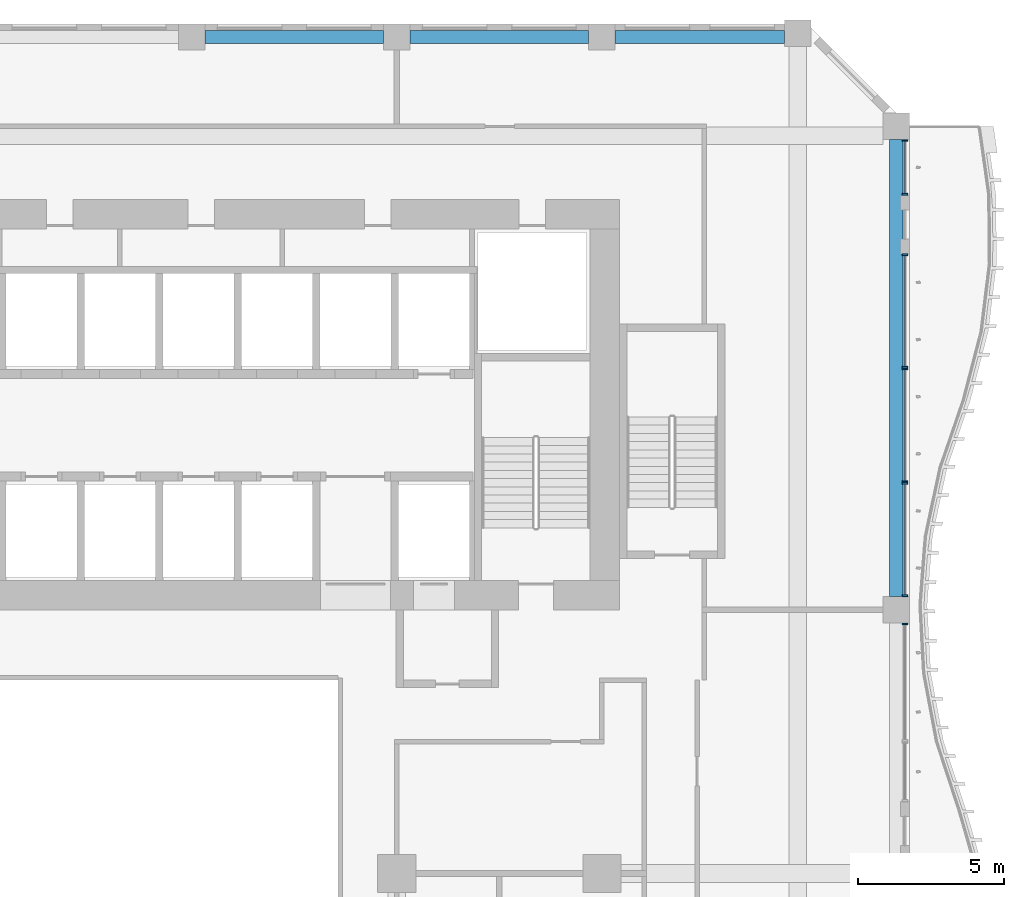
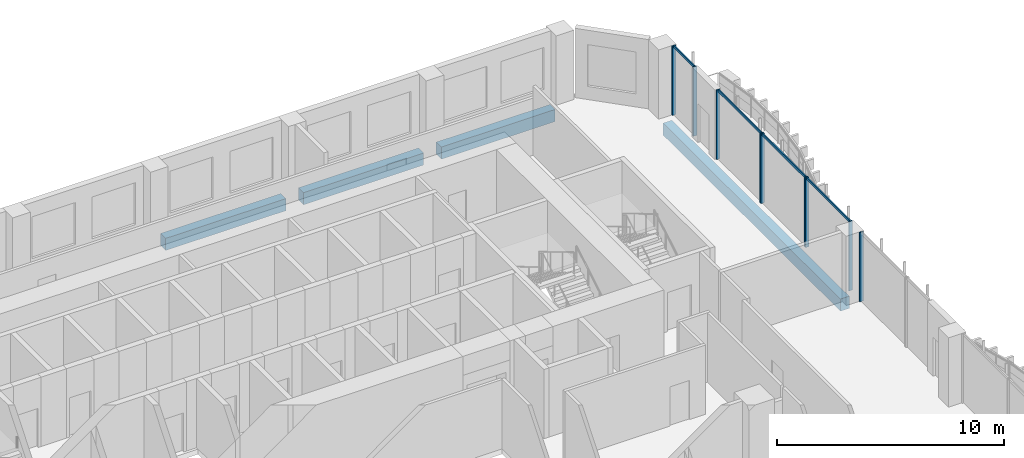
# One storey, part 10 of 26: 13 members, 4 beams, 5 elements without a shape of their own.
"""IFC4 building model written with IfcOpenShell, lengths in metres."""

from ifc_helpers import new_model, si_unit, direction, frame, origin, origin_2d, place, context, subcontext, project, spatial, rectangle, extrude, source, transform, mapped, material, material_profile, profile_set, type_object, element, aggregate, save


model = new_model("IFC4")

# Units and contexts
model_context = context("Model", 3, precision=1e-05, world=origin(), true_north=direction((0.0, 1.0)))
body_context = subcontext(model_context, "Body", "Model", "MODEL_VIEW")
ifc_project = project(units=[si_unit("LENGTHUNIT", "METRE"), si_unit("AREAUNIT", "SQUARE_METRE"), si_unit("VOLUMEUNIT", "CUBIC_METRE"), si_unit("PLANEANGLEUNIT", "RADIAN"), si_unit("MASSUNIT", "GRAM", prefix="KILO")], contexts=[model_context])

# Site, building, storey
site_placement = place(None, origin())
site = spatial("IfcSite", under=ifc_project, at=site_placement, CompositionType="ELEMENT")
building_placement = place(site_placement, origin())
building = spatial("IfcBuilding", under=site, at=building_placement, Name="Kilnfold Tower and Market Hall", CompositionType="ELEMENT")
storey_placement = place(building_placement, frame((0.0, 0.0, 31.0)))
storey = spatial("IfcBuildingStorey", under=building, at=storey_placement, Name="L06", CompositionType="ELEMENT", Elevation=31.0)

# Beams
ifc_material_1 = material(Name="Concrete C45", Category="concrete")
ifc_material_profile_1 = material_profile(ifc_material_1, rectangle(XDim=0.449951171875, YDim=0.64990234375, at=origin_2d()), Name="RC 450x650")
ifc_profile_set_1 = profile_set([ifc_material_profile_1], Name="Concrete C45")
beam_type = type_object("IfcBeamType", Name="EDGE BEAM 450X650 C45", PredefinedType="BEAM", material=ifc_profile_set_1)
shared_shape_1 = source(origin(), body_context, "Body", "SweptSolid", [
    extrude(rectangle(XDim=0.449951171875, YDim=0.64990234375, at=origin_2d()), origin(), (0.0, 0.0, 1.0), 6.10009765625),
])
for number, where, z_axis, x_axis, name in (
    (1, (3.949951171875, 27.550048828125, -0.60498046875), (1.0, 0.0, 0.0), (0.0, 1.0, 0.0), "Beam EB650-B1.27"),
    (2, (10.949951171875, 27.550048828125, -0.60498046875), (1.0, 0.0, 0.0), (0.0, 1.0, 0.0), "Beam EB650-B1.28"),
):
    element("IfcBeam", number, at=place(storey_placement, frame(where, z_axis=z_axis, x_axis=x_axis)), inside=storey, type_object=beam_type, Name=name, PredefinedType="BEAM", context=body_context, shape_type="MappedRepresentation", body=[
        mapped(shared_shape_1, transform((0.0, 0.0, 0.0))),
    ])
shared_shape_2 = source(origin(), body_context, "Body", "SweptSolid", [
    extrude(rectangle(XDim=0.449951171875, YDim=0.64990234375, at=origin_2d()), origin(), (0.0, 0.0, 1.0), 5.78173828125),
])
beam_1_placement = place(storey_placement, frame((17.949951171875, 27.550048828125, -0.60498046875), z_axis=(1.0, 0.0, 0.0), x_axis=(0.0, 1.0, 0.0)))
element("IfcBeam", 3, at=beam_1_placement, inside=storey, type_object=beam_type, Name="Beam EB650-B1.29", PredefinedType="BEAM", context=body_context, shape_type="MappedRepresentation", body=[
    mapped(shared_shape_2, transform((0.0, 0.0, 0.0))),
])
shared_shape_3 = source(origin(), body_context, "Body", "SweptSolid", [
    extrude(rectangle(XDim=0.449951171875, YDim=0.64990234375, at=origin_2d()), origin(), (0.0, 0.0, 1.0), 15.60009765625),
])
beam_2_placement = place(storey_placement, frame((27.550048828125, 8.449951171875, -0.60498046875), z_axis=(0.0, 1.0, 0.0), x_axis=(-1.0, 0.0, 0.0)))
element("IfcBeam", 4, at=beam_2_placement, inside=storey, type_object=beam_type, Name="Beam EB650-B1.59", PredefinedType="BEAM", context=body_context, shape_type="MappedRepresentation", body=[
    mapped(shared_shape_3, transform((0.0, 0.0, 0.0))),
])

# Curtain wall, member
ifc_material_2 = material(Name="Aluminium and double glazing", Category="aluminium")
curtain_wall_type = type_object("IfcCurtainWallType", Name="CW OF1 VALLEY GLAZING", PredefinedType="NOTDEFINED", material=ifc_material_2)
curtain_wall_1_placement = place(storey_placement, origin())
curtain_wall_1 = element("IfcCurtainWall", 5, at=curtain_wall_1_placement, inside=storey, type_object=curtain_wall_type, Name="Curtain wall CW1 L06 E", PredefinedType="NOTDEFINED")
ifc_material_3 = material(Name="Aluminium", Category="aluminium")
ifc_material_profile_2 = material_profile(ifc_material_3, rectangle(XDim=0.06005859375, YDim=0.179931640625, at=origin_2d()), Name="MULLION 60x180")
ifc_profile_set_2 = profile_set([ifc_material_profile_2], Name="Aluminium")
member_type_1 = type_object("IfcMemberType", Name="MULLION 60X180", PredefinedType="MULLION", material=ifc_profile_set_2)
shared_shape_4 = source(origin(), body_context, "Body", "SweptSolid", [
    extrude(rectangle(XDim=0.06005859375, YDim=0.179931640625, at=origin_2d()), origin(), (0.0, 0.0, 1.0), 3.719970703125),
])
member_1_placement = place(storey_placement, frame((27.85009765625, 7.52001953125, 0.0), z_axis=(0.0, 0.0, 1.0), x_axis=(0.0, 1.0, 0.0)))
member_1 = element("IfcMember", 6, at=member_1_placement, type_object=member_type_1, Name="CW1 mullion 2", PredefinedType="MULLION", context=body_context, shape_type="MappedRepresentation", body=[
    mapped(shared_shape_4, transform((0.0, 0.0, 0.0))),
])
aggregate(curtain_wall_1, [member_1])

# Curtain wall, members
curtain_wall_2_placement = place(storey_placement, origin())
curtain_wall_2 = element("IfcCurtainWall", 7, at=curtain_wall_2_placement, inside=storey, type_object=curtain_wall_type, Name="Curtain wall CW1 L06 E", PredefinedType="NOTDEFINED")
member_2_placement = place(storey_placement, frame((27.85009765625, 8.47998046875, 0.0), z_axis=(0.0, 0.0, 1.0), x_axis=(0.0, 1.0, 0.0)))
member_2 = element("IfcMember", 8, at=member_2_placement, type_object=member_type_1, Name="CW1 mullion 1", PredefinedType="MULLION", context=body_context, shape_type="MappedRepresentation", body=[
    mapped(shared_shape_4, transform((0.0, 0.0, 0.0))),
])
member_3_placement = place(storey_placement, frame((27.85009765625, 12.320068359375, 0.0), z_axis=(0.0, 0.0, 1.0), x_axis=(0.0, 1.0, 0.0)))
member_3 = element("IfcMember", 9, at=member_3_placement, type_object=member_type_1, Name="CW1 mullion 2", PredefinedType="MULLION", context=body_context, shape_type="MappedRepresentation", body=[
    mapped(shared_shape_4, transform((0.0, 0.0, 0.0))),
])

curtain_wall_3_placement = place(storey_placement, origin())
curtain_wall_3 = element("IfcCurtainWall", 10, at=curtain_wall_3_placement, inside=storey, type_object=curtain_wall_type, Name="Curtain wall CW1 L06 E", PredefinedType="NOTDEFINED")
member_4_placement = place(storey_placement, frame((27.85009765625, 12.3798828125, 0.0), z_axis=(0.0, 0.0, 1.0), x_axis=(0.0, 1.0, 0.0)))
member_4 = element("IfcMember", 11, at=member_4_placement, type_object=member_type_1, Name="CW1 mullion 1", PredefinedType="MULLION", context=body_context, shape_type="MappedRepresentation", body=[
    mapped(shared_shape_4, transform((0.0, 0.0, 0.0))),
])
member_5_placement = place(storey_placement, frame((27.85009765625, 16.219970703125, 0.0), z_axis=(0.0, 0.0, 1.0), x_axis=(0.0, 1.0, 0.0)))
member_5 = element("IfcMember", 12, at=member_5_placement, type_object=member_type_1, Name="CW1 mullion 2", PredefinedType="MULLION", context=body_context, shape_type="MappedRepresentation", body=[
    mapped(shared_shape_4, transform((0.0, 0.0, 0.0))),
])

curtain_wall_4_placement = place(storey_placement, origin())
curtain_wall_4 = element("IfcCurtainWall", 13, at=curtain_wall_4_placement, inside=storey, type_object=curtain_wall_type, Name="Curtain wall CW1 L06 E", PredefinedType="NOTDEFINED")
member_6_placement = place(storey_placement, frame((27.85009765625, 16.280029296875, 0.0), z_axis=(0.0, 0.0, 1.0), x_axis=(0.0, 1.0, 0.0)))
member_6 = element("IfcMember", 14, at=member_6_placement, type_object=member_type_1, Name="CW1 mullion 1", PredefinedType="MULLION", context=body_context, shape_type="MappedRepresentation", body=[
    mapped(shared_shape_4, transform((0.0, 0.0, 0.0))),
])
member_7_placement = place(storey_placement, frame((27.85009765625, 20.1201171875, 0.0), z_axis=(0.0, 0.0, 1.0), x_axis=(0.0, 1.0, 0.0)))
member_7 = element("IfcMember", 15, at=member_7_placement, type_object=member_type_1, Name="CW1 mullion 2", PredefinedType="MULLION", context=body_context, shape_type="MappedRepresentation", body=[
    mapped(shared_shape_4, transform((0.0, 0.0, 0.0))),
])

curtain_wall_5_placement = place(storey_placement, origin())
curtain_wall_5 = element("IfcCurtainWall", 16, at=curtain_wall_5_placement, inside=storey, type_object=curtain_wall_type, Name="Curtain wall CW1 L06 E", PredefinedType="NOTDEFINED")
member_8_placement = place(storey_placement, frame((27.85009765625, 22.179931640625, 0.0), z_axis=(0.0, 0.0, 1.0), x_axis=(0.0, 1.0, 0.0)))
member_8 = element("IfcMember", 17, at=member_8_placement, type_object=member_type_1, Name="CW1 mullion 1", PredefinedType="MULLION", context=body_context, shape_type="MappedRepresentation", body=[
    mapped(shared_shape_4, transform((0.0, 0.0, 0.0))),
])
member_9_placement = place(storey_placement, frame((27.85009765625, 24.02001953125, 0.0), z_axis=(0.0, 0.0, 1.0), x_axis=(0.0, 1.0, 0.0)))
member_9 = element("IfcMember", 18, at=member_9_placement, type_object=member_type_1, Name="CW1 mullion 2", PredefinedType="MULLION", context=body_context, shape_type="MappedRepresentation", body=[
    mapped(shared_shape_4, transform((0.0, 0.0, 0.0))),
])

# Member
ifc_material_4 = material(Name="Aluminium", Category="aluminium")
ifc_material_profile_3 = material_profile(ifc_material_4, rectangle(XDim=0.06005859375, YDim=0.139892578125, at=origin_2d()), Name="TRANSOM 60x140")
ifc_profile_set_3 = profile_set([ifc_material_profile_3], Name="Aluminium")
member_type_2 = type_object("IfcMemberType", Name="TRANSOM 60X140", PredefinedType="USERDEFINED", material=ifc_profile_set_3)
shared_shape_5 = source(origin(), body_context, "Body", "SweptSolid", [
    extrude(rectangle(XDim=0.06005859375, YDim=0.139892578125, at=origin_2d()), origin(), (0.0, 0.0, 1.0), 3.780029296875),
])
member_10_placement = place(storey_placement, frame((27.85009765625, 8.510009765625, 3.68994140625), z_axis=(0.0, 1.0, 0.0), x_axis=(-1.0, 0.0, 0.0)))
member_10 = element("IfcMember", 19, at=member_10_placement, type_object=member_type_2, Name="CW1 transom 1.2", ObjectType="TRANSOM", PredefinedType="USERDEFINED", context=body_context, shape_type="MappedRepresentation", body=[
    mapped(shared_shape_5, transform((0.0, 0.0, 0.0))),
])

aggregate(curtain_wall_2, [member_2, member_3, member_10])

member_11_placement = place(storey_placement, frame((27.85009765625, 12.409912109375, 3.68994140625), z_axis=(0.0, 1.0, 0.0), x_axis=(-1.0, 0.0, 0.0)))
member_11 = element("IfcMember", 20, at=member_11_placement, type_object=member_type_2, Name="CW1 transom 1.2", ObjectType="TRANSOM", PredefinedType="USERDEFINED", context=body_context, shape_type="MappedRepresentation", body=[
    mapped(shared_shape_5, transform((0.0, 0.0, 0.0))),
])

aggregate(curtain_wall_3, [member_4, member_5, member_11])

member_12_placement = place(storey_placement, frame((27.85009765625, 16.31005859375, 3.68994140625), z_axis=(0.0, 1.0, 0.0), x_axis=(-1.0, 0.0, 0.0)))
member_12 = element("IfcMember", 21, at=member_12_placement, type_object=member_type_2, Name="CW1 transom 1.2", ObjectType="TRANSOM", PredefinedType="USERDEFINED", context=body_context, shape_type="MappedRepresentation", body=[
    mapped(shared_shape_5, transform((0.0, 0.0, 0.0))),
])

aggregate(curtain_wall_4, [member_6, member_7, member_12])

shared_shape_6 = source(origin(), body_context, "Body", "SweptSolid", [
    extrude(rectangle(XDim=0.06005859375, YDim=0.139892578125, at=origin_2d()), origin(), (0.0, 0.0, 1.0), 1.780029296875),
])
member_13_placement = place(storey_placement, frame((27.85009765625, 22.2099609375, 3.68994140625), z_axis=(0.0, 1.0, 0.0), x_axis=(-1.0, 0.0, 0.0)))
member_13 = element("IfcMember", 22, at=member_13_placement, type_object=member_type_2, Name="CW1 transom 1.2", ObjectType="TRANSOM", PredefinedType="USERDEFINED", context=body_context, shape_type="MappedRepresentation", body=[
    mapped(shared_shape_6, transform((0.0, 0.0, 0.0))),
])

aggregate(curtain_wall_5, [member_8, member_9, member_13])

save(model, "model.ifc")
